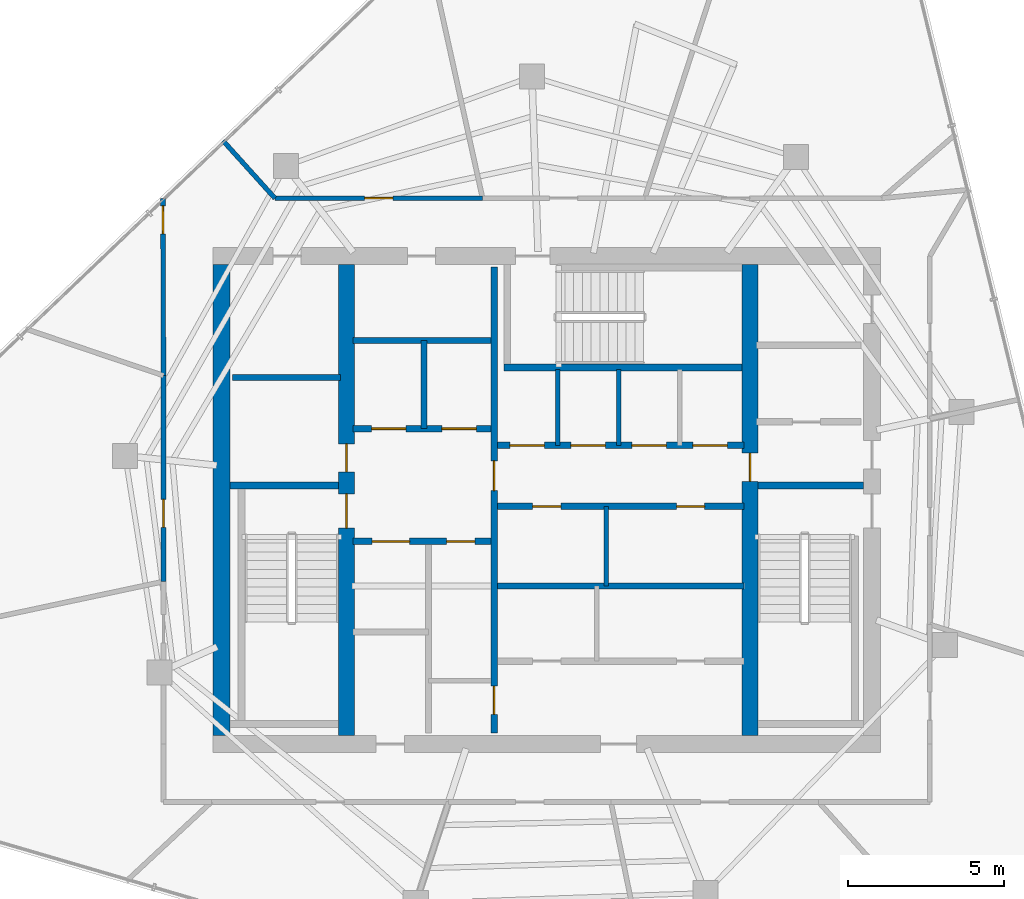
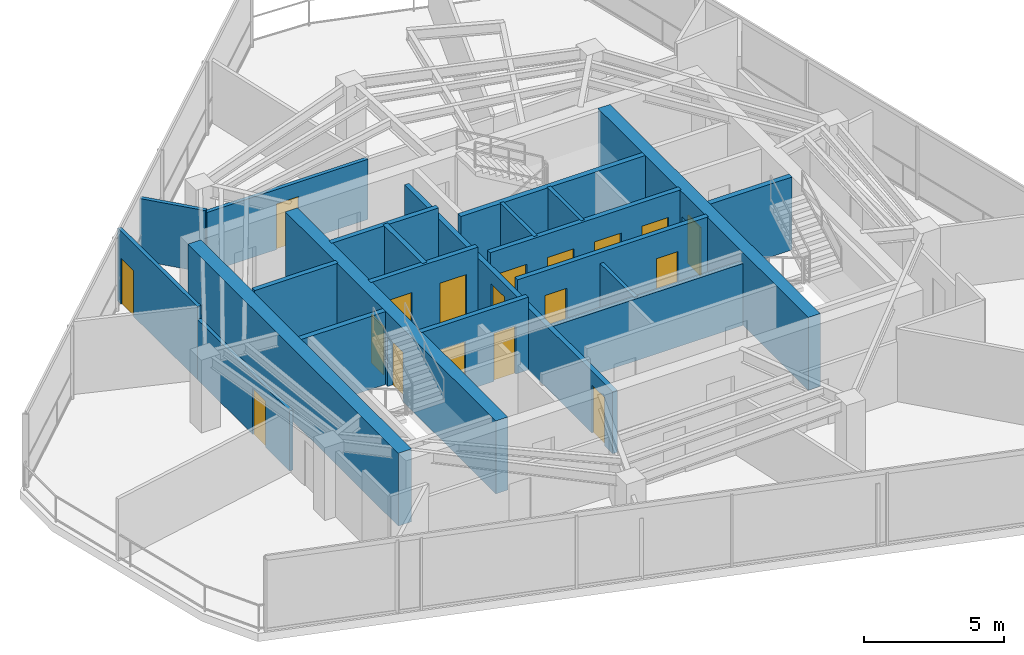
# One storey, part 15 of 19: 22 walls, 18 doors, 18 openings.
"""IFC4 building model written with IfcOpenShell, lengths in metres."""

from ifc_helpers import new_model, si_unit, direction, frame, frame_2d, origin, place, context, subcontext, project, spatial, rectangle, extrude, material, layer, layer_set, type_object, element, fill, save


model = new_model("IFC4")

# Units and contexts
model_context = context("Model", 3, precision=1e-05, world=origin(), true_north=direction((0.0, 1.0)))
body_context = subcontext(model_context, "Body", "Model", "MODEL_VIEW")
ifc_project = project(units=[si_unit("LENGTHUNIT", "METRE"), si_unit("AREAUNIT", "SQUARE_METRE"), si_unit("VOLUMEUNIT", "CUBIC_METRE"), si_unit("PLANEANGLEUNIT", "RADIAN"), si_unit("MASSUNIT", "GRAM", prefix="KILO")], contexts=[model_context])

# Site, building, storey
site_placement = place(None, origin())
site = spatial("IfcSite", under=ifc_project, at=site_placement, CompositionType="ELEMENT")
building_placement = place(site_placement, origin())
building = spatial("IfcBuilding", under=site, at=building_placement, Name="Qarnah Convention Tower", CompositionType="ELEMENT")
storey_placement = place(building_placement, frame((0.0, 0.0, 231.89990234375)))
storey = spatial("IfcBuildingStorey", under=building, at=storey_placement, Name="L62", CompositionType="ELEMENT", Elevation=231.89990234375)

# Wall
ifc_material_1 = material(Name="Concrete C60/75", Category="concrete")
ifc_layer_1 = layer(ifc_material_1, 0.550048828125)
ifc_layer_set_1 = layer_set([ifc_layer_1], Name="Concrete C60/75")
wall_type_1 = type_object("IfcWallType", Name="WL-CORE-550", PredefinedType="SHEAR", material=ifc_layer_set_1)
wall_1_placement = place(storey_placement, frame((26.800048828125, 18.875, 0.0), z_axis=(0.0, 0.0, 1.0), x_axis=(0.0, 1.0, 0.0)))
element("IfcWall", 1, at=wall_1_placement, inside=storey, type_object=wall_type_1, Name="L62 core west shear wall", PredefinedType="SHEAR", context=body_context, shape_type="SweptSolid", body=[
    extrude(rectangle(XDim=15.050048828125, YDim=0.550048828125, at=frame_2d((7.52490234375, 0.0))), origin(), (0.0, 0.0, 1.0), 3.18017578125),
])

# Wall, openings, doors
ifc_layer_2 = layer(ifc_material_1, 0.5)
ifc_layer_set_2 = layer_set([ifc_layer_2], Name="Concrete C60/75")
wall_type_2 = type_object("IfcWallType", Name="WL-CORE-INT-400", PredefinedType="SHEAR", material=ifc_layer_set_2)
wall_2_placement = place(storey_placement, frame((30.800048828125, 18.875, 0.0), z_axis=(0.0, 0.0, 1.0), x_axis=(0.0, 1.0, 0.0)))
wall_2 = element("IfcWall", 2, at=wall_2_placement, inside=storey, type_object=wall_type_2, Name="L62 core west spine shear wall", PredefinedType="SHEAR", context=body_context, shape_type="SweptSolid", body=[
    extrude(rectangle(XDim=15.050048828125, YDim=0.5, at=frame_2d((7.52490234375, 0.0))), origin(), (0.0, 0.0, 1.0), 3.18017578125),
])
opening_1_placement = place(wall_2_placement, frame((6.625, 0.0, 0.0)))
opening_1 = element("IfcOpeningElement", 3, at=opening_1_placement, cuts=wall_2, Name="Opening D-6201", PredefinedType="OPENING", context=body_context, shape_type="SweptSolid", body=[
    extrude(rectangle(XDim=1.10009765625, YDim=2.14990234375, at=frame_2d((0.550048828125, 1.074951171875))), frame((0.0, 0.260009765625, 0.0), z_axis=(0.0, -1.0, 0.0), x_axis=(1.0, 0.0, 0.0)), (0.0, 0.0, 1.0), 0.52001953125),
])
opening_2_placement = place(wall_2_placement, frame((8.425048828125, 0.0, 0.0)))
opening_2 = element("IfcOpeningElement", 4, at=opening_2_placement, cuts=wall_2, Name="Opening D-6208", PredefinedType="OPENING", context=body_context, shape_type="SweptSolid", body=[
    extrude(rectangle(XDim=0.89990234375, YDim=2.10009765625, at=frame_2d((0.449951171875, 1.050048828125))), frame((0.0, 0.260009765625, 0.0), z_axis=(0.0, -1.0, 0.0), x_axis=(1.0, 0.0, 0.0)), (0.0, 0.0, 1.0), 0.52001953125),
])
ifc_material_2 = material(Name="Structural steel S355JR", Category="steel")
door_type_1 = type_object("IfcDoorType", Name="DT-RISER-900", OperationType="NOTDEFINED", PredefinedType="DOOR", material=ifc_material_2)
door_1_placement = place(opening_2_placement, origin())
door_1 = element("IfcDoor", 5, at=door_1_placement, inside=storey, type_object=door_type_1, Name="Door D-6208", OperationType="SINGLE_SWING_RIGHT", OverallHeight=2.10009765625, OverallWidth=0.89990234375, PredefinedType="DOOR", context=body_context, shape_type="SweptSolid", body=[
    extrude(rectangle(XDim=0.89990234375, YDim=2.10009765625, at=frame_2d((0.449951171875, 1.050048828125))), frame((0.0, 0.02490234375, 0.0), z_axis=(0.0, -1.0, 0.0), x_axis=(1.0, 0.0, 0.0)), (0.0, 0.0, 1.0), 0.050048828125),
])
fill(opening_2, door_1)
door_type_2 = type_object("IfcDoorType", Name="DT-STAIR-1100", OperationType="NOTDEFINED", PredefinedType="DOOR", material=ifc_material_2)
door_2_placement = place(opening_1_placement, origin())
door_2 = element("IfcDoor", 6, at=door_2_placement, inside=storey, type_object=door_type_2, Name="Door D-6201", OperationType="SINGLE_SWING_LEFT", OverallHeight=2.14990234375, OverallWidth=1.10009765625, PredefinedType="DOOR", context=body_context, shape_type="SweptSolid", body=[
    extrude(rectangle(XDim=1.10009765625, YDim=2.14990234375, at=frame_2d((0.550048828125, 1.074951171875))), frame((0.0, 0.02490234375, 0.0), z_axis=(0.0, -1.0, 0.0), x_axis=(1.0, 0.0, 0.0)), (0.0, 0.0, 1.0), 0.050048828125),
])
fill(opening_1, door_2)

# Wall, opening, door
wall_3_placement = place(storey_placement, frame((43.699951171875, 18.875, 0.0), z_axis=(0.0, 0.0, 1.0), x_axis=(0.0, 1.0, 0.0)))
wall_3 = element("IfcWall", 7, at=wall_3_placement, inside=storey, type_object=wall_type_2, Name="L62 core east spine shear wall", PredefinedType="SHEAR", context=body_context, shape_type="SweptSolid", body=[
    extrude(rectangle(XDim=15.050048828125, YDim=0.5, at=frame_2d((7.52490234375, 0.0))), origin(), (0.0, 0.0, 1.0), 3.18017578125),
])
opening_3_placement = place(wall_3_placement, frame((8.125, 0.0, 0.0)))
opening_3 = element("IfcOpeningElement", 8, at=opening_3_placement, cuts=wall_3, Name="Opening D-6205", PredefinedType="OPENING", context=body_context, shape_type="SweptSolid", body=[
    extrude(rectangle(XDim=0.89990234375, YDim=2.10009765625, at=frame_2d((0.449951171875, 1.050048828125))), frame((0.0, 0.260009765625, 0.0), z_axis=(0.0, -1.0, 0.0), x_axis=(1.0, 0.0, 0.0)), (0.0, 0.0, 1.0), 0.52001953125),
])
door_3_placement = place(opening_3_placement, origin())
door_3 = element("IfcDoor", 9, at=door_3_placement, inside=storey, type_object=door_type_1, Name="Door D-6205", OperationType="SINGLE_SWING_LEFT", OverallHeight=2.10009765625, OverallWidth=0.89990234375, PredefinedType="DOOR", context=body_context, shape_type="SweptSolid", body=[
    extrude(rectangle(XDim=0.89990234375, YDim=2.10009765625, at=frame_2d((0.449951171875, 1.050048828125))), frame((0.0, 0.02490234375, 0.0), z_axis=(0.0, -1.0, 0.0), x_axis=(1.0, 0.0, 0.0)), (0.0, 0.0, 1.0), 0.050048828125),
])
fill(opening_3, door_3)

# Wall
ifc_material_3 = material(Name="Concrete C45/55", Category="concrete")
ifc_layer_3 = layer(ifc_material_3, 0.199951171875)
ifc_layer_set_3 = layer_set([ifc_layer_3], Name="Concrete C45/55")
wall_type_3 = type_object("IfcWallType", Name="WL-CORE-PART-200", PredefinedType="SOLIDWALL", material=ifc_layer_set_3)
wall_4_placement = place(storey_placement, frame((27.14990234375, 30.320068359375, 0.0), z_axis=(0.0, 0.0, 1.0), x_axis=(1.0, 0.0, 0.0)))
element("IfcWall", 10, at=wall_4_placement, inside=storey, type_object=wall_type_3, Name="L62 interior wall IW-L62-ELRN", PredefinedType="SOLIDWALL", context=body_context, shape_type="SweptSolid", body=[
    extrude(rectangle(XDim=3.4501953125, YDim=0.199951171875, at=frame_2d((1.72509765625, 0.0))), origin(), (0.0, 0.0, 1.0), 3.18017578125),
])

# Wall, openings, doors
wall_5_placement = place(storey_placement, frame((35.52001953125, 18.949951171875, 0.0), z_axis=(0.0, 0.0, 1.0), x_axis=(0.0, 1.0, 0.0)))
wall_5 = element("IfcWall", 11, at=wall_5_placement, inside=storey, type_object=wall_type_3, Name="L62 interior wall IW-L62-CSP", PredefinedType="SOLIDWALL", context=body_context, shape_type="SweptSolid", body=[
    extrude(rectangle(XDim=14.900146484375, YDim=0.199951171875, at=frame_2d((7.4501953125, 0.0))), origin(), (0.0, 0.0, 1.0), 2.701171875),
])
opening_4_placement = place(wall_5_placement, frame((7.7548828125, 0.0, 0.0)))
opening_4 = element("IfcOpeningElement", 12, at=opening_4_placement, cuts=wall_5, Name="Opening D-6204", PredefinedType="OPENING", context=body_context, shape_type="SweptSolid", body=[
    extrude(rectangle(XDim=0.949951171875, YDim=2.14990234375, at=frame_2d((0.47509765625, 1.074951171875))), frame((0.0, 0.10986328125, 0.0), z_axis=(0.0, -1.0, 0.0), x_axis=(1.0, 0.0, 0.0)), (0.0, 0.0, 1.0), 0.219970703125),
])
opening_5_placement = place(wall_5_placement, frame((0.60009765625, 0.0, 0.0)))
opening_5 = element("IfcOpeningElement", 13, at=opening_5_placement, cuts=wall_5, Name="Opening D-6214", PredefinedType="OPENING", context=body_context, shape_type="SweptSolid", body=[
    extrude(rectangle(XDim=0.89990234375, YDim=2.10009765625, at=frame_2d((0.449951171875, 1.050048828125))), frame((0.0, 0.10986328125, 0.0), z_axis=(0.0, -1.0, 0.0), x_axis=(1.0, 0.0, 0.0)), (0.0, 0.0, 1.0), 0.219970703125),
])
ifc_material_4 = material(Name="Oak timber veneer", Category="wood")
door_type_3 = type_object("IfcDoorType", Name="DT-HOTEL-950", OperationType="NOTDEFINED", PredefinedType="DOOR", material=ifc_material_4)
door_4_placement = place(opening_4_placement, origin())
door_4 = element("IfcDoor", 14, at=door_4_placement, inside=storey, type_object=door_type_3, Name="Door D-6204", OperationType="SINGLE_SWING_RIGHT", OverallHeight=2.14990234375, OverallWidth=0.949951171875, PredefinedType="DOOR", context=body_context, shape_type="SweptSolid", body=[
    extrude(rectangle(XDim=0.949951171875, YDim=2.14990234375, at=frame_2d((0.47509765625, 1.074951171875))), frame((0.0, 0.02490234375, 0.0), z_axis=(0.0, -1.0, 0.0), x_axis=(1.0, 0.0, 0.0)), (0.0, 0.0, 1.0), 0.050048828125),
])
fill(opening_4, door_4)
door_5_placement = place(opening_5_placement, origin())
door_5 = element("IfcDoor", 15, at=door_5_placement, inside=storey, type_object=door_type_1, Name="Door D-6214", OperationType="SINGLE_SWING_RIGHT", OverallHeight=2.10009765625, OverallWidth=0.89990234375, PredefinedType="DOOR", context=body_context, shape_type="SweptSolid", body=[
    extrude(rectangle(XDim=0.89990234375, YDim=2.10009765625, at=frame_2d((0.449951171875, 1.050048828125))), frame((0.0, 0.02490234375, 0.0), z_axis=(0.0, -1.0, 0.0), x_axis=(1.0, 0.0, 0.0)), (0.0, 0.0, 1.0), 0.050048828125),
])
fill(opening_5, door_5)

wall_6_placement = place(storey_placement, frame((31.0, 28.679931640625, 0.0), z_axis=(0.0, 0.0, 1.0), x_axis=(1.0, 0.0, 0.0)))
wall_6 = element("IfcWall", 16, at=wall_6_placement, inside=storey, type_object=wall_type_3, Name="L62 interior wall IW-L62-FFLS", PredefinedType="SOLIDWALL", context=body_context, shape_type="SweptSolid", body=[
    extrude(rectangle(XDim=4.419921875, YDim=0.199951171875, at=frame_2d((2.2099609375, 0.0))), origin(), (0.0, 0.0, 1.0), 3.18017578125),
])
opening_6_placement = place(wall_6_placement, frame((0.60009765625, 0.0, 0.0)))
opening_6 = element("IfcOpeningElement", 17, at=opening_6_placement, cuts=wall_6, Name="Opening LD-6201", PredefinedType="OPENING", context=body_context, shape_type="SweptSolid", body=[
    extrude(rectangle(XDim=1.10009765625, YDim=2.14990234375, at=frame_2d((0.550048828125, 1.074951171875))), frame((0.0, 0.10986328125, 0.0), z_axis=(0.0, -1.0, 0.0), x_axis=(1.0, 0.0, 0.0)), (0.0, 0.0, 1.0), 0.219970703125),
])
opening_7_placement = place(wall_6_placement, frame((2.85009765625, 0.0, 0.0)))
opening_7 = element("IfcOpeningElement", 18, at=opening_7_placement, cuts=wall_6, Name="Opening LD-6202", PredefinedType="OPENING", context=body_context, shape_type="SweptSolid", body=[
    extrude(rectangle(XDim=1.10009765625, YDim=2.14990234375, at=frame_2d((0.550048828125, 1.074951171875))), frame((0.0, 0.10986328125, 0.0), z_axis=(0.0, -1.0, 0.0), x_axis=(1.0, 0.0, 0.0)), (0.0, 0.0, 1.0), 0.219970703125),
])
door_type_4 = type_object("IfcDoorType", Name="DT-LIFT-1100", OperationType="SLIDING_TO_LEFT", PredefinedType="DOOR", material=ifc_material_2)
door_6_placement = place(opening_6_placement, origin())
door_6 = element("IfcDoor", 19, at=door_6_placement, inside=storey, type_object=door_type_4, Name="Door LD-6201", OperationType="SLIDING_TO_LEFT", OverallHeight=2.14990234375, OverallWidth=1.10009765625, PredefinedType="DOOR", context=body_context, shape_type="SweptSolid", body=[
    extrude(rectangle(XDim=1.10009765625, YDim=2.14990234375, at=frame_2d((0.550048828125, 1.074951171875))), frame((0.0, 0.02490234375, 0.0), z_axis=(0.0, -1.0, 0.0), x_axis=(1.0, 0.0, 0.0)), (0.0, 0.0, 1.0), 0.050048828125),
])
fill(opening_6, door_6)
door_7_placement = place(opening_7_placement, origin())
door_7 = element("IfcDoor", 20, at=door_7_placement, inside=storey, type_object=door_type_4, Name="Door LD-6202", OperationType="SLIDING_TO_LEFT", OverallHeight=2.14990234375, OverallWidth=1.10009765625, PredefinedType="DOOR", context=body_context, shape_type="SweptSolid", body=[
    extrude(rectangle(XDim=1.10009765625, YDim=2.14990234375, at=frame_2d((0.550048828125, 1.074951171875))), frame((0.0, 0.02490234375, 0.0), z_axis=(0.0, -1.0, 0.0), x_axis=(1.0, 0.0, 0.0)), (0.0, 0.0, 1.0), 0.050048828125),
])
fill(opening_7, door_7)

# Walls
wall_7_placement = place(storey_placement, frame((31.0, 31.5, 0.0), z_axis=(0.0, 0.0, 1.0), x_axis=(1.0, 0.0, 0.0)))
element("IfcWall", 21, at=wall_7_placement, inside=storey, type_object=wall_type_3, Name="L62 interior wall IW-L62-FFLN", PredefinedType="SOLIDWALL", context=body_context, shape_type="SweptSolid", body=[
    extrude(rectangle(XDim=4.419921875, YDim=0.199951171875, at=frame_2d((2.2099609375, 0.0))), origin(), (0.0, 0.0, 1.0), 3.18017578125),
])
wall_8_placement = place(storey_placement, frame((33.280029296875, 28.679931640625, 0.0), z_axis=(0.0, 0.0, 1.0), x_axis=(0.0, 1.0, 0.0)))
element("IfcWall", 22, at=wall_8_placement, inside=storey, type_object=wall_type_3, Name="L62 interior wall IW-L62-FFLM", PredefinedType="SOLIDWALL", context=body_context, shape_type="SweptSolid", body=[
    extrude(rectangle(XDim=2.820068359375, YDim=0.199951171875, at=frame_2d((1.41015625, 0.0))), origin(), (0.0, 0.0, 1.0), 3.18017578125),
])

# Wall, openings, doors
wall_9_placement = place(storey_placement, frame((31.0, 25.080078125, 0.0), z_axis=(0.0, 0.0, 1.0), x_axis=(1.0, 0.0, 0.0)))
wall_9 = element("IfcWall", 23, at=wall_9_placement, inside=storey, type_object=wall_type_3, Name="L62 interior wall IW-L62-FFLBS", PredefinedType="SOLIDWALL", context=body_context, shape_type="SweptSolid", body=[
    extrude(rectangle(XDim=4.419921875, YDim=0.199951171875, at=frame_2d((2.2099609375, 0.0))), origin(), (0.0, 0.0, 1.0), 3.18017578125),
])
opening_8_placement = place(wall_9_placement, frame((3.0, 0.0, 0.0)))
opening_8 = element("IfcOpeningElement", 24, at=opening_8_placement, cuts=wall_9, Name="Opening D-6215", PredefinedType="OPENING", context=body_context, shape_type="SweptSolid", body=[
    extrude(rectangle(XDim=0.89990234375, YDim=2.10009765625, at=frame_2d((0.449951171875, 1.050048828125))), frame((0.0, 0.10986328125, 0.0), z_axis=(0.0, -1.0, 0.0), x_axis=(1.0, 0.0, 0.0)), (0.0, 0.0, 1.0), 0.219970703125),
])
opening_9_placement = place(wall_9_placement, frame((0.6201171875, 0.0, 0.0)))
opening_9 = element("IfcOpeningElement", 25, at=opening_9_placement, cuts=wall_9, Name="Opening LD-6203", PredefinedType="OPENING", context=body_context, shape_type="SweptSolid", body=[
    extrude(rectangle(XDim=1.199951171875, YDim=2.14990234375, at=frame_2d((0.60009765625, 1.074951171875))), frame((0.0, 0.10986328125, 0.0), z_axis=(0.0, -1.0, 0.0), x_axis=(1.0, 0.0, 0.0)), (0.0, 0.0, 1.0), 0.219970703125),
])
door_type_5 = type_object("IfcDoorType", Name="DT-LIFT-1200", OperationType="SLIDING_TO_LEFT", PredefinedType="DOOR", material=ifc_material_2)
door_8_placement = place(opening_9_placement, origin())
door_8 = element("IfcDoor", 26, at=door_8_placement, inside=storey, type_object=door_type_5, Name="Door LD-6203", OperationType="SLIDING_TO_LEFT", OverallHeight=2.14990234375, OverallWidth=1.199951171875, PredefinedType="DOOR", context=body_context, shape_type="SweptSolid", body=[
    extrude(rectangle(XDim=1.199951171875, YDim=2.14990234375, at=frame_2d((0.60009765625, 1.074951171875))), frame((0.0, 0.02490234375, 0.0), z_axis=(0.0, -1.0, 0.0), x_axis=(1.0, 0.0, 0.0)), (0.0, 0.0, 1.0), 0.050048828125),
])
fill(opening_9, door_8)
door_9_placement = place(opening_8_placement, origin())
door_9 = element("IfcDoor", 27, at=door_9_placement, inside=storey, type_object=door_type_1, Name="Door D-6215", OperationType="SINGLE_SWING_LEFT", OverallHeight=2.10009765625, OverallWidth=0.89990234375, PredefinedType="DOOR", context=body_context, shape_type="SweptSolid", body=[
    extrude(rectangle(XDim=0.89990234375, YDim=2.10009765625, at=frame_2d((0.449951171875, 1.050048828125))), frame((0.0, 0.02490234375, 0.0), z_axis=(0.0, -1.0, 0.0), x_axis=(1.0, 0.0, 0.0)), (0.0, 0.0, 1.0), 0.050048828125),
])
fill(opening_8, door_9)

wall_10_placement = place(storey_placement, frame((35.6201171875, 28.14990234375, 0.0), z_axis=(0.0, 0.0, 1.0), x_axis=(1.0, 0.0, 0.0)))
wall_10 = element("IfcWall", 28, at=wall_10_placement, inside=storey, type_object=wall_type_3, Name="L62 interior wall IW-L62-PHS", PredefinedType="SOLIDWALL", context=body_context, shape_type="SweptSolid", body=[
    extrude(rectangle(XDim=7.8798828125, YDim=0.199951171875, at=frame_2d((3.93994140625, 0.0))), origin(), (0.0, 0.0, 1.0), 3.18017578125),
])
opening_10_placement = place(wall_10_placement, frame((0.405029296875, 0.0, 0.0)))
opening_10 = element("IfcOpeningElement", 29, at=opening_10_placement, cuts=wall_10, Name="Opening LD-6204", PredefinedType="OPENING", context=body_context, shape_type="SweptSolid", body=[
    extrude(rectangle(XDim=1.10009765625, YDim=2.14990234375, at=frame_2d((0.550048828125, 1.074951171875))), frame((0.0, 0.10986328125, 0.0), z_axis=(0.0, -1.0, 0.0), x_axis=(1.0, 0.0, 0.0)), (0.0, 0.0, 1.0), 0.219970703125),
])
opening_11_placement = place(wall_10_placement, frame((2.35498046875, 0.0, 0.0)))
opening_11 = element("IfcOpeningElement", 30, at=opening_11_placement, cuts=wall_10, Name="Opening LD-6205", PredefinedType="OPENING", context=body_context, shape_type="SweptSolid", body=[
    extrude(rectangle(XDim=1.10009765625, YDim=2.14990234375, at=frame_2d((0.550048828125, 1.074951171875))), frame((0.0, 0.10986328125, 0.0), z_axis=(0.0, -1.0, 0.0), x_axis=(1.0, 0.0, 0.0)), (0.0, 0.0, 1.0), 0.219970703125),
])
opening_12_placement = place(wall_10_placement, frame((4.304931640625, 0.0, 0.0)))
opening_12 = element("IfcOpeningElement", 31, at=opening_12_placement, cuts=wall_10, Name="Opening LD-6206", PredefinedType="OPENING", context=body_context, shape_type="SweptSolid", body=[
    extrude(rectangle(XDim=1.10009765625, YDim=2.14990234375, at=frame_2d((0.550048828125, 1.074951171875))), frame((0.0, 0.10986328125, 0.0), z_axis=(0.0, -1.0, 0.0), x_axis=(1.0, 0.0, 0.0)), (0.0, 0.0, 1.0), 0.219970703125),
])
opening_13_placement = place(wall_10_placement, frame((6.2548828125, 0.0, 0.0)))
opening_13 = element("IfcOpeningElement", 32, at=opening_13_placement, cuts=wall_10, Name="Opening LD-6207", PredefinedType="OPENING", context=body_context, shape_type="SweptSolid", body=[
    extrude(rectangle(XDim=1.10009765625, YDim=2.14990234375, at=frame_2d((0.550048828125, 1.074951171875))), frame((0.0, 0.10986328125, 0.0), z_axis=(0.0, -1.0, 0.0), x_axis=(1.0, 0.0, 0.0)), (0.0, 0.0, 1.0), 0.219970703125),
])
door_10_placement = place(opening_10_placement, origin())
door_10 = element("IfcDoor", 33, at=door_10_placement, inside=storey, type_object=door_type_4, Name="Door LD-6204", OperationType="SLIDING_TO_LEFT", OverallHeight=2.14990234375, OverallWidth=1.10009765625, PredefinedType="DOOR", context=body_context, shape_type="SweptSolid", body=[
    extrude(rectangle(XDim=1.10009765625, YDim=2.14990234375, at=frame_2d((0.550048828125, 1.074951171875))), frame((0.0, 0.02490234375, 0.0), z_axis=(0.0, -1.0, 0.0), x_axis=(1.0, 0.0, 0.0)), (0.0, 0.0, 1.0), 0.050048828125),
])
fill(opening_10, door_10)
door_11_placement = place(opening_11_placement, origin())
door_11 = element("IfcDoor", 34, at=door_11_placement, inside=storey, type_object=door_type_4, Name="Door LD-6205", OperationType="SLIDING_TO_LEFT", OverallHeight=2.14990234375, OverallWidth=1.10009765625, PredefinedType="DOOR", context=body_context, shape_type="SweptSolid", body=[
    extrude(rectangle(XDim=1.10009765625, YDim=2.14990234375, at=frame_2d((0.550048828125, 1.074951171875))), frame((0.0, 0.02490234375, 0.0), z_axis=(0.0, -1.0, 0.0), x_axis=(1.0, 0.0, 0.0)), (0.0, 0.0, 1.0), 0.050048828125),
])
fill(opening_11, door_11)
door_12_placement = place(opening_12_placement, origin())
door_12 = element("IfcDoor", 35, at=door_12_placement, inside=storey, type_object=door_type_4, Name="Door LD-6206", OperationType="SLIDING_TO_LEFT", OverallHeight=2.14990234375, OverallWidth=1.10009765625, PredefinedType="DOOR", context=body_context, shape_type="SweptSolid", body=[
    extrude(rectangle(XDim=1.10009765625, YDim=2.14990234375, at=frame_2d((0.550048828125, 1.074951171875))), frame((0.0, 0.02490234375, 0.0), z_axis=(0.0, -1.0, 0.0), x_axis=(1.0, 0.0, 0.0)), (0.0, 0.0, 1.0), 0.050048828125),
])
fill(opening_12, door_12)
door_13_placement = place(opening_13_placement, origin())
door_13 = element("IfcDoor", 36, at=door_13_placement, inside=storey, type_object=door_type_4, Name="Door LD-6207", OperationType="SLIDING_TO_LEFT", OverallHeight=2.14990234375, OverallWidth=1.10009765625, PredefinedType="DOOR", context=body_context, shape_type="SweptSolid", body=[
    extrude(rectangle(XDim=1.10009765625, YDim=2.14990234375, at=frame_2d((0.550048828125, 1.074951171875))), frame((0.0, 0.02490234375, 0.0), z_axis=(0.0, -1.0, 0.0), x_axis=(1.0, 0.0, 0.0)), (0.0, 0.0, 1.0), 0.050048828125),
])
fill(opening_13, door_13)

wall_11_placement = place(storey_placement, frame((35.6201171875, 26.199951171875, 0.0), z_axis=(0.0, 0.0, 1.0), x_axis=(1.0, 0.0, 0.0)))
wall_11 = element("IfcWall", 37, at=wall_11_placement, inside=storey, type_object=wall_type_3, Name="L62 interior wall IW-L62-PMN", PredefinedType="SOLIDWALL", context=body_context, shape_type="SweptSolid", body=[
    extrude(rectangle(XDim=7.8798828125, YDim=0.199951171875, at=frame_2d((3.93994140625, 0.0))), origin(), (0.0, 0.0, 1.0), 3.18017578125),
])
opening_14_placement = place(wall_11_placement, frame((1.1298828125, 0.0, 0.0)))
opening_14 = element("IfcOpeningElement", 38, at=opening_14_placement, cuts=wall_11, Name="Opening D-6218", PredefinedType="OPENING", context=body_context, shape_type="SweptSolid", body=[
    extrude(rectangle(XDim=0.89990234375, YDim=2.10009765625, at=frame_2d((0.449951171875, 1.050048828125))), frame((0.0, 0.10986328125, 0.0), z_axis=(0.0, -1.0, 0.0), x_axis=(1.0, 0.0, 0.0)), (0.0, 0.0, 1.0), 0.219970703125),
])
opening_15_placement = place(wall_11_placement, frame((5.72998046875, 0.0, 0.0)))
opening_15 = element("IfcOpeningElement", 39, at=opening_15_placement, cuts=wall_11, Name="Opening D-6219", PredefinedType="OPENING", context=body_context, shape_type="SweptSolid", body=[
    extrude(rectangle(XDim=0.89990234375, YDim=2.10009765625, at=frame_2d((0.449951171875, 1.050048828125))), frame((0.0, 0.10986328125, 0.0), z_axis=(0.0, -1.0, 0.0), x_axis=(1.0, 0.0, 0.0)), (0.0, 0.0, 1.0), 0.219970703125),
])
door_14_placement = place(opening_14_placement, origin())
door_14 = element("IfcDoor", 40, at=door_14_placement, inside=storey, type_object=door_type_1, Name="Door D-6218", OperationType="SINGLE_SWING_RIGHT", OverallHeight=2.10009765625, OverallWidth=0.89990234375, PredefinedType="DOOR", context=body_context, shape_type="SweptSolid", body=[
    extrude(rectangle(XDim=0.89990234375, YDim=2.10009765625, at=frame_2d((0.449951171875, 1.050048828125))), frame((0.0, 0.02490234375, 0.0), z_axis=(0.0, -1.0, 0.0), x_axis=(1.0, 0.0, 0.0)), (0.0, 0.0, 1.0), 0.050048828125),
])
fill(opening_14, door_14)
door_15_placement = place(opening_15_placement, origin())
door_15 = element("IfcDoor", 41, at=door_15_placement, inside=storey, type_object=door_type_1, Name="Door D-6219", OperationType="SINGLE_SWING_LEFT", OverallHeight=2.10009765625, OverallWidth=0.89990234375, PredefinedType="DOOR", context=body_context, shape_type="SweptSolid", body=[
    extrude(rectangle(XDim=0.89990234375, YDim=2.10009765625, at=frame_2d((0.449951171875, 1.050048828125))), frame((0.0, 0.02490234375, 0.0), z_axis=(0.0, -1.0, 0.0), x_axis=(1.0, 0.0, 0.0)), (0.0, 0.0, 1.0), 0.050048828125),
])
fill(opening_15, door_15)

# Walls
wall_12_placement = place(storey_placement, frame((35.6201171875, 23.64990234375, 0.0), z_axis=(0.0, 0.0, 1.0), x_axis=(1.0, 0.0, 0.0)))
element("IfcWall", 42, at=wall_12_placement, inside=storey, type_object=wall_type_3, Name="L62 interior wall IW-L62-PMPL", PredefinedType="SOLIDWALL", context=body_context, shape_type="SweptSolid", body=[
    extrude(rectangle(XDim=7.8798828125, YDim=0.199951171875, at=frame_2d((3.93994140625, 0.0))), origin(), (0.0, 0.0, 1.0), 2.701171875),
])
ifc_layer_4 = layer(ifc_material_1, 0.219970703125)
ifc_layer_set_4 = layer_set([ifc_layer_4], Name="Concrete C60/75")
wall_type_4 = type_object("IfcWallType", Name="WL-CORE-STAIR-220", PredefinedType="SHEAR", material=ifc_layer_set_4)
wall_13_placement = place(storey_placement, frame((27.074951171875, 26.860107421875, 0.0), z_axis=(0.0, 0.0, 1.0), x_axis=(1.0, 0.0, 0.0)))
element("IfcWall", 43, at=wall_13_placement, inside=storey, type_object=wall_type_4, Name="L62 stair shaft shear wall SW-L62-ST1N", PredefinedType="SHEAR", context=body_context, shape_type="SweptSolid", body=[
    extrude(rectangle(XDim=3.47509765625, YDim=0.219970703125, at=frame_2d((1.737548828125, 0.0))), origin(), (0.0, 0.0, 1.0), 3.18017578125),
])
wall_14_placement = place(storey_placement, frame((43.949951171875, 26.860107421875, 0.0), z_axis=(0.0, 0.0, 1.0), x_axis=(1.0, 0.0, 0.0)))
element("IfcWall", 44, at=wall_14_placement, inside=storey, type_object=wall_type_4, Name="L62 stair shaft shear wall SW-L62-ST2N", PredefinedType="SHEAR", context=body_context, shape_type="SweptSolid", body=[
    extrude(rectangle(XDim=3.375, YDim=0.219970703125, at=frame_2d((1.6875, 0.0))), origin(), (0.0, 0.0, 1.0), 3.18017578125),
])
wall_15_placement = place(storey_placement, frame((35.840087890625, 30.639892578125, 0.0), z_axis=(0.0, 0.0, 1.0), x_axis=(1.0, 0.0, 0.0)))
element("IfcWall", 45, at=wall_15_placement, inside=storey, type_object=wall_type_4, Name="L62 stair shaft shear wall SW-L62-ST3S", PredefinedType="SHEAR", context=body_context, shape_type="SweptSolid", body=[
    extrude(rectangle(XDim=7.60986328125, YDim=0.219970703125, at=frame_2d((3.804931640625, 0.0))), origin(), (0.0, 0.0, 1.0), 3.18017578125),
])
ifc_material_5 = material(Name="Gypsum partition board")
ifc_layer_5 = layer(ifc_material_5, 0.14990234375)
ifc_layer_set_5 = layer_set([ifc_layer_5], Name="Gypsum partition board")
wall_type_5 = type_object("IfcWallType", Name="WL-SUITE-150", PredefinedType="PARTITIONING", material=ifc_layer_set_5)
for number, where, z_axis, x_axis, name in (
    (46, (37.550048828125, 28.14990234375, 0.0), (0.0, 0.0, 1.0), (0.0, 1.0, 0.0), "L62 interior wall IW-L62-PHD1"),
    (47, (39.5, 28.14990234375, 0.0), (0.0, 0.0, 1.0), (0.0, 1.0, 0.0), "L62 interior wall IW-L62-PHD2"),
):
    element("IfcWall", number, at=place(storey_placement, frame(where, z_axis=z_axis, x_axis=x_axis)), inside=storey, type_object=wall_type_5, Name=name, PredefinedType="PARTITIONING", context=body_context, shape_type="SweptSolid", body=[
        extrude(rectangle(XDim=2.43017578125, YDim=0.14990234375, at=frame_2d((1.215087890625, 0.0))), origin(), (0.0, 0.0, 1.0), 3.18017578125),
    ])
wall_16_placement = place(storey_placement, frame((39.10009765625, 23.64990234375, 0.0), z_axis=(0.0, 0.0, 1.0), x_axis=(0.0, 1.0, 0.0)))
element("IfcWall", 48, at=wall_16_placement, inside=storey, type_object=wall_type_5, Name="L62 interior wall IW-L62-PMFD", PredefinedType="PARTITIONING", context=body_context, shape_type="SweptSolid", body=[
    extrude(rectangle(XDim=2.550048828125, YDim=0.14990234375, at=frame_2d((1.27490234375, 0.0))), origin(), (0.0, 0.0, 1.0), 2.701171875),
])
wall_17_placement = place(storey_placement, frame((26.85400390625, 37.885009765625, 0.0), z_axis=(0.0, 0.0, 1.0), x_axis=(0.670196786498, -0.7421834459, 0.0)))
element("IfcWall", 49, at=wall_17_placement, inside=storey, type_object=wall_type_5, Name="L62 interior wall IW-L62-R-04", PredefinedType="PARTITIONING", context=body_context, shape_type="SweptSolid", body=[
    extrude(rectangle(XDim=2.472412109375, YDim=0.14990234375, at=frame_2d((1.236328125, 0.0))), origin(), (0.0, 0.0, 1.0), 2.705078125),
])

# Wall, opening, door
wall_18_placement = place(storey_placement, frame((28.510986328125, 36.050048828125, 0.0), z_axis=(0.0, 0.0, 1.0), x_axis=(1.0, 0.0, 0.0)))
wall_18 = element("IfcWall", 50, at=wall_18_placement, inside=storey, type_object=wall_type_5, Name="L62 interior wall IW-L62-R-05", PredefinedType="PARTITIONING", context=body_context, shape_type="SweptSolid", body=[
    extrude(rectangle(XDim=6.637939453125, YDim=0.14990234375, at=frame_2d((3.31884765625, 0.0))), origin(), (0.0, 0.0, 1.0), 2.625),
])
opening_16_placement = place(wall_18_placement, frame((2.868896484375, 0.0, 0.0)))
opening_16 = element("IfcOpeningElement", 51, at=opening_16_placement, cuts=wall_18, Name="Opening D-6221", PredefinedType="OPENING", context=body_context, shape_type="SweptSolid", body=[
    extrude(rectangle(XDim=0.89990234375, YDim=2.0, at=frame_2d((0.449951171875, 1.0))), frame((0.0, 0.0849609375, 0.0), z_axis=(0.0, -1.0, 0.0), x_axis=(1.0, 0.0, 0.0)), (0.0, 0.0, 1.0), 0.169921875),
])
door_type_6 = type_object("IfcDoorType", Name="DT-PLANT-900", OperationType="NOTDEFINED", PredefinedType="DOOR", material=ifc_material_2)
door_16_placement = place(opening_16_placement, origin())
door_16 = element("IfcDoor", 52, at=door_16_placement, inside=storey, type_object=door_type_6, Name="Door D-6221", OperationType="SINGLE_SWING_LEFT", OverallHeight=2.0, OverallWidth=0.89990234375, PredefinedType="DOOR", context=body_context, shape_type="SweptSolid", body=[
    extrude(rectangle(XDim=0.89990234375, YDim=2.0, at=frame_2d((0.449951171875, 1.0))), frame((0.0, 0.02490234375, 0.0), z_axis=(0.0, -1.0, 0.0), x_axis=(1.0, 0.0, 0.0)), (0.0, 0.0, 1.0), 0.050048828125),
])
fill(opening_16, door_16)

wall_19_placement = place(storey_placement, frame((24.949951171875, 30.3798828125, 0.0), z_axis=(0.0, 0.0, 1.0), x_axis=(-0.003531872704, 0.999993762918, 0.0)))
wall_19 = element("IfcWall", 53, at=wall_19_placement, inside=storey, type_object=wall_type_5, Name="L62 interior wall IW-L62-R-07", PredefinedType="PARTITIONING", context=body_context, shape_type="SweptSolid", body=[
    extrude(rectangle(XDim=5.668212890625, YDim=0.14990234375, at=frame_2d((2.833984375, 0.0))), origin(), (0.0, 0.0, 1.0), 3.18017578125),
])
opening_17_placement = place(wall_19_placement, frame((4.528076171875, 0.0, 0.0)))
opening_17 = element("IfcOpeningElement", 54, at=opening_17_placement, cuts=wall_19, Name="Opening D-6222", PredefinedType="OPENING", context=body_context, shape_type="SweptSolid", body=[
    extrude(rectangle(XDim=0.89990234375, YDim=2.0, at=frame_2d((0.449951171875, 1.0))), frame((0.0, 0.0849609375, 0.0), z_axis=(0.0, -1.0, 0.0), x_axis=(1.0, 0.0, 0.0)), (0.0, 0.0, 1.0), 0.169921875),
])
door_17_placement = place(opening_17_placement, origin())
door_17 = element("IfcDoor", 55, at=door_17_placement, inside=storey, type_object=door_type_6, Name="Door D-6222", OperationType="SINGLE_SWING_RIGHT", OverallHeight=2.0, OverallWidth=0.89990234375, PredefinedType="DOOR", context=body_context, shape_type="SweptSolid", body=[
    extrude(rectangle(XDim=0.89990234375, YDim=2.0, at=frame_2d((0.449951171875, 1.0))), frame((0.0, 0.02490234375, 0.0), z_axis=(0.0, -1.0, 0.0), x_axis=(1.0, 0.0, 0.0)), (0.0, 0.0, 1.0), 0.050048828125),
])
fill(opening_17, door_17)

wall_20_placement = place(storey_placement, frame((24.949951171875, 23.7958984375, 0.0), z_axis=(0.0, 0.0, 1.0), x_axis=(0.0, 1.0, 0.0)))
wall_20 = element("IfcWall", 56, at=wall_20_placement, inside=storey, type_object=wall_type_5, Name="L62 interior wall IW-L62-R-09", PredefinedType="PARTITIONING", context=body_context, shape_type="SweptSolid", body=[
    extrude(rectangle(XDim=6.583984375, YDim=0.14990234375, at=frame_2d((3.2919921875, 0.0))), origin(), (0.0, 0.0, 1.0), 2.625),
])
opening_18_placement = place(wall_20_placement, frame((1.72705078125, 0.0, 0.0)))
opening_18 = element("IfcOpeningElement", 57, at=opening_18_placement, cuts=wall_20, Name="Opening D-6223", PredefinedType="OPENING", context=body_context, shape_type="SweptSolid", body=[
    extrude(rectangle(XDim=0.89990234375, YDim=2.0, at=frame_2d((0.449951171875, 1.0))), frame((0.0, 0.0849609375, 0.0), z_axis=(0.0, -1.0, 0.0), x_axis=(1.0, 0.0, 0.0)), (0.0, 0.0, 1.0), 0.169921875),
])
door_18_placement = place(opening_18_placement, origin())
door_18 = element("IfcDoor", 58, at=door_18_placement, inside=storey, type_object=door_type_6, Name="Door D-6223", OperationType="SINGLE_SWING_LEFT", OverallHeight=2.0, OverallWidth=0.89990234375, PredefinedType="DOOR", context=body_context, shape_type="SweptSolid", body=[
    extrude(rectangle(XDim=0.89990234375, YDim=2.0, at=frame_2d((0.449951171875, 1.0))), frame((0.0, 0.02490234375, 0.0), z_axis=(0.0, -1.0, 0.0), x_axis=(1.0, 0.0, 0.0)), (0.0, 0.0, 1.0), 0.050048828125),
])
fill(opening_18, door_18)

save(model, "model.ifc")
